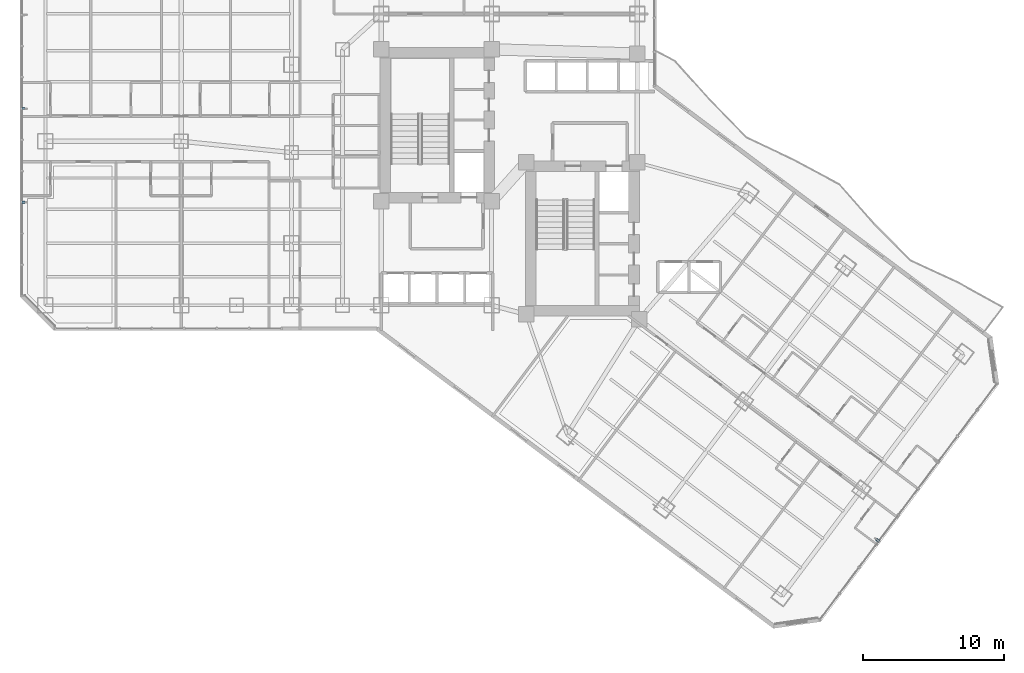
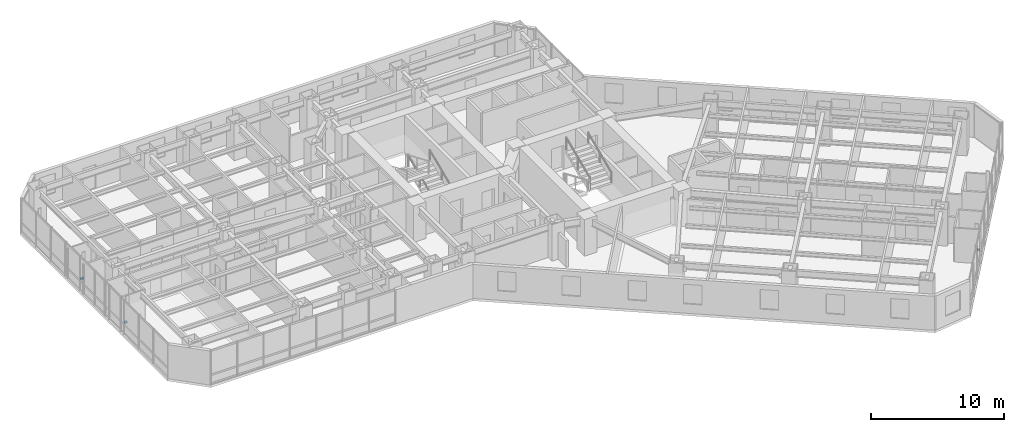
# One storey, part 29 of 38: 3 discrete accessories.
"""IFC4 building model written with IfcOpenShell, lengths in metres."""

from ifc_helpers import new_model, si_unit, direction, frame, origin, origin_2d, place, context, subcontext, project, spatial, rectangle, extrude, material, type_object, element, save


model = new_model("IFC4")

# Units and contexts
model_context = context("Model", 3, precision=1e-05, world=origin(), true_north=direction((0.0, 1.0)))
body_context = subcontext(model_context, "Body", "Model", "MODEL_VIEW")
ifc_project = project(units=[si_unit("LENGTHUNIT", "METRE"), si_unit("AREAUNIT", "SQUARE_METRE"), si_unit("VOLUMEUNIT", "CUBIC_METRE"), si_unit("PLANEANGLEUNIT", "RADIAN"), si_unit("MASSUNIT", "GRAM", prefix="KILO")], contexts=[model_context])

# Site, building, storey
site_placement = place(None, origin())
site = spatial("IfcSite", under=ifc_project, at=site_placement, CompositionType="ELEMENT")
building_placement = place(site_placement, origin())
building = spatial("IfcBuilding", under=site, at=building_placement, Name="Hatsunagi Terrace Concourse", CompositionType="ELEMENT")
storey_placement = place(building_placement, frame((0.0, 0.0, 60.050048828125)))
storey = spatial("IfcBuildingStorey", under=building, at=storey_placement, Name="L15", CompositionType="ELEMENT", Elevation=60.050048828125)

# Discrete accessories
ifc_material = material(Name="Stainless Steel SUS316 Bracket", Category="steel")
discrete_accessory_type = type_object("IfcDiscreteAccessoryType", Name="FacadeScreenSupportBracket_SS", PredefinedType="BRACKET", material=ifc_material)
for number, where, z_axis, x_axis, name in (
    (1, (60.652099609375, 8.5849609375, 0.97021484375), (0.0, 0.0, 1.0), (-0.599969314634, -0.800023013105, 0.0), "Terracotta Screen Bracket BRK-01"),
    (2, (0.25, 32.48291015625, 0.97021484375), (0.0, 0.0, 1.0), (0.0, 1.0, 0.0), "Terracotta Screen Bracket BRK-01"),
    (3, (0.25, 39.10791015625, 0.97021484375), (0.0, 0.0, 1.0), (0.0, 1.0, 0.0), "Terracotta Screen Bracket BRK-01"),
):
    element("IfcDiscreteAccessory", number, at=place(storey_placement, frame(where, z_axis=z_axis, x_axis=x_axis)), inside=storey, type_object=discrete_accessory_type, Name=name, PredefinedType="BRACKET", context=body_context, shape_type="SweptSolid", body=[
        extrude(rectangle(XDim=0.159912109375, YDim=0.239990234375, at=origin_2d()), origin(), (0.0, 0.0, 1.0), 0.159912109375),
    ])

save(model, "model.ifc")
